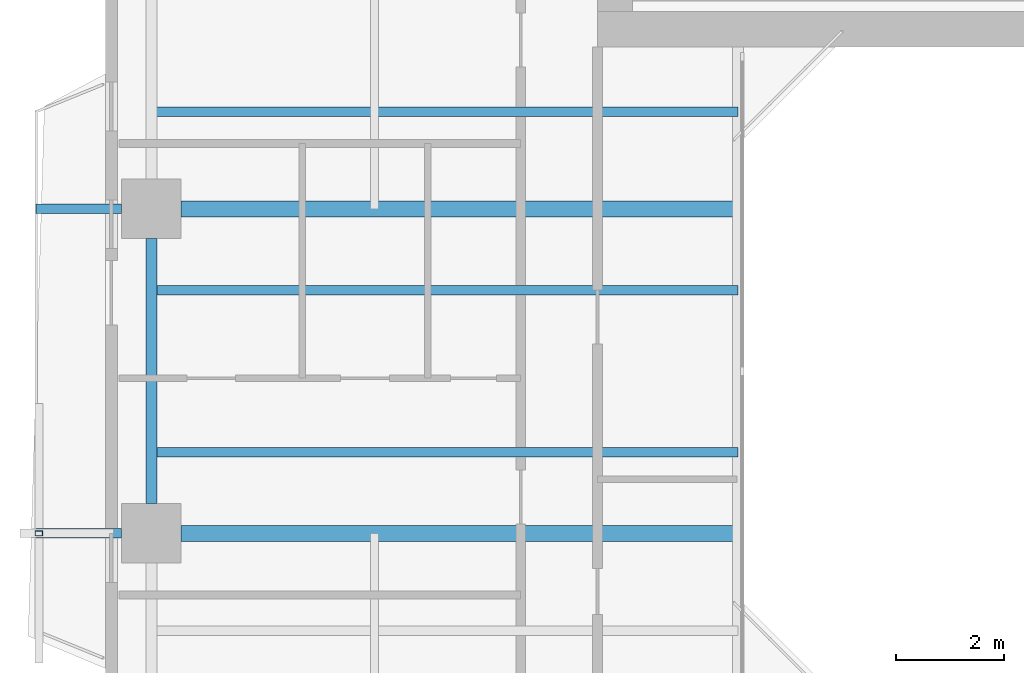
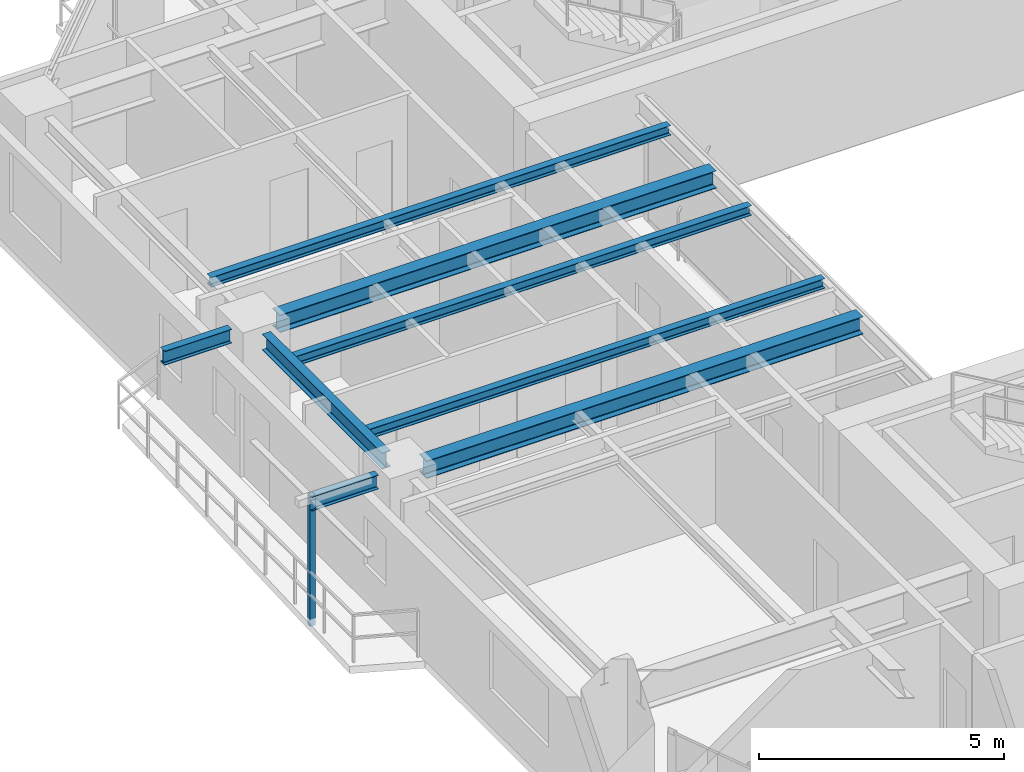
# One storey, part 4 of 24: 8 beams, 1 member.
"""IFC4 building model written with IfcOpenShell, lengths in metres."""

from ifc_helpers import new_model, si_unit, direction, frame, origin, origin_2d, place, context, subcontext, project, spatial, hollow_rectangle, i_section, extrude, source, transform, mapped, material, material_profile, profile_set, type_object, element, save


model = new_model("IFC4")

# Units and contexts
model_context = context("Model", 3, precision=1e-05, world=origin(), true_north=direction((0.0, 1.0)))
body_context = subcontext(model_context, "Body", "Model", "MODEL_VIEW")
ifc_project = project(units=[si_unit("LENGTHUNIT", "METRE"), si_unit("AREAUNIT", "SQUARE_METRE"), si_unit("VOLUMEUNIT", "CUBIC_METRE"), si_unit("PLANEANGLEUNIT", "RADIAN"), si_unit("MASSUNIT", "GRAM", prefix="KILO"), si_unit("THERMODYNAMICTEMPERATUREUNIT", "KELVIN"), si_unit("POWERUNIT", "WATT")], contexts=[model_context])

# Site, building, storey
site_placement = place(None, origin())
site = spatial("IfcSite", under=ifc_project, at=site_placement, CompositionType="ELEMENT")
building_placement = place(site_placement, origin())
building = spatial("IfcBuilding", under=site, at=building_placement, Name="Qiaomeng Ring Towers", CompositionType="ELEMENT")
storey_placement = place(building_placement, frame((0.0, 0.0, 110.0)))
storey = spatial("IfcBuildingStorey", under=building, at=storey_placement, Name="L31", CompositionType="ELEMENT", Elevation=110.0)

# Beams
ifc_material_1 = material(Name="Steel Q355B", Category="steel")
ifc_material_profile_1 = material_profile(ifc_material_1, i_section(OverallWidth=0.199951171875, OverallDepth=0.39990234375, WebThickness=0.008056640625, FlangeThickness=0.012939453125, FilletRadius=0.01611328125, at=origin_2d()), Name="HN 400x200x8x13")
ifc_profile_set_1 = profile_set([ifc_material_profile_1], Name="Steel Q355B")
beam_type_1 = type_object("IfcBeamType", Name="STR-BM-HN400", PredefinedType="SPANDREL", material=ifc_profile_set_1)
shared_shape_1 = source(origin(), body_context, "Body", "SweptSolid", [
    extrude(i_section(OverallWidth=0.199951171875, OverallDepth=0.39990234375, WebThickness=0.008056640625, FlangeThickness=0.012939453125, FilletRadius=0.01611328125, at=origin_2d()), origin(), (0.0, 0.0, 1.0), 4.90185546875),
])
beam_placement = place(storey_placement, frame((1.949951171875, 25.450927734375, 2.8701171875), z_axis=(0.0, -1.0, 0.0), x_axis=(1.0, 0.0, 0.0)))
element("IfcBeam", 1, at=beam_placement, inside=storey, type_object=beam_type_1, Name="L31 beam STR-SP-L31-T1-W3-W2", PredefinedType="SPANDREL", context=body_context, shape_type="MappedRepresentation", body=[
    mapped(shared_shape_1, transform((0.0, 0.0, 0.0), x_axis=(1.0, 0.0, 0.0), y_axis=(0.0, 1.0, 0.0), z_axis=(0.0, 0.0, 1.0), scale=1.0)),
])
ifc_material_profile_2 = material_profile(ifc_material_1, i_section(OverallWidth=0.300048828125, OverallDepth=0.43994140625, WebThickness=0.010986328125, FlangeThickness=0.01806640625, FilletRadius=0.02392578125, at=origin_2d()), Name="HM 440x300x11x18")
ifc_profile_set_2 = profile_set([ifc_material_profile_2], Name="Steel Q355B")
beam_type_2 = type_object("IfcBeamType", Name="STR-BM-HM440", PredefinedType="BEAM", material=ifc_profile_set_2)
shared_shape_2 = source(origin(), body_context, "Body", "SweptSolid", [
    extrude(i_section(OverallWidth=0.300048828125, OverallDepth=0.43994140625, WebThickness=0.010986328125, FlangeThickness=0.01806640625, FilletRadius=0.02392578125, at=origin_2d()), origin(), (0.0, 0.0, 1.0), 10.301025390625),
])
for number, where, z_axis, x_axis, name in (
    (2, (2.4990234375, 20.0, 2.85009765625), (1.0, 0.0, 0.0), (0.0, 1.0, 0.0), "L31 beam STR-BM-L31-T1-RAD-W2"),
    (3, (2.4990234375, 26.0, 2.85009765625), (1.0, 0.0, 0.0), (0.0, 1.0, 0.0), "L31 beam STR-BM-L31-T1-RAD-W3"),
):
    element("IfcBeam", number, at=place(storey_placement, frame(where, z_axis=z_axis, x_axis=x_axis)), inside=storey, type_object=beam_type_2, Name=name, PredefinedType="BEAM", context=body_context, shape_type="MappedRepresentation", body=[
        mapped(shared_shape_2, transform((0.0, 0.0, 0.0), x_axis=(1.0, 0.0, 0.0), y_axis=(0.0, 1.0, 0.0), z_axis=(0.0, 0.0, 1.0), scale=1.0)),
    ])
ifc_material_profile_3 = material_profile(ifc_material_1, i_section(OverallWidth=0.175048828125, OverallDepth=0.35009765625, WebThickness=0.007080078125, FlangeThickness=0.010986328125, FilletRadius=0.013916015625, at=origin_2d()), Name="HN 350x175x7x11")
ifc_profile_set_3 = profile_set([ifc_material_profile_3], Name="Steel Q355B")
beam_type_3 = type_object("IfcBeamType", Name="STR-BM-HN350", PredefinedType="JOIST", material=ifc_profile_set_3)
shared_shape_3 = source(origin(), body_context, "Body", "SweptSolid", [
    extrude(i_section(OverallWidth=0.175048828125, OverallDepth=0.35009765625, WebThickness=0.007080078125, FlangeThickness=0.010986328125, FilletRadius=0.013916015625, at=origin_2d()), origin(), (0.0, 0.0, 1.0), 1.580810546875),
])
for number, where, z_axis, x_axis, name in (
    (4, (-0.179931640625, 20.0, 2.89501953125), (1.0, 0.0, 0.0), (0.0, 1.0, 0.0), "L31 beam STR-BALBM-L31-W2"),
    (5, (-0.179931640625, 26.0, 2.89501953125), (1.0, 0.0, 0.0), (0.0, 1.0, 0.0), "L31 beam STR-BALBM-L31-W3"),
):
    element("IfcBeam", number, at=place(storey_placement, frame(where, z_axis=z_axis, x_axis=x_axis)), inside=storey, type_object=beam_type_3, Name=name, PredefinedType="JOIST", context=body_context, shape_type="MappedRepresentation", body=[
        mapped(shared_shape_3, transform((0.0, 0.0, 0.0), x_axis=(1.0, 0.0, 0.0), y_axis=(0.0, 1.0, 0.0), z_axis=(0.0, 0.0, 1.0), scale=1.0)),
    ])
ifc_material_profile_4 = material_profile(ifc_material_1, i_section(OverallWidth=0.175048828125, OverallDepth=0.243896484375, WebThickness=0.007080078125, FlangeThickness=0.010986328125, FilletRadius=0.01611328125, at=origin_2d()), Name="HM 244x175x7x11")
ifc_profile_set_4 = profile_set([ifc_material_profile_4], Name="Steel Q355B")
beam_type_4 = type_object("IfcBeamType", Name="STR-BM-HM244", PredefinedType="JOIST", material=ifc_profile_set_4)
shared_shape_4 = source(origin(), body_context, "Body", "SweptSolid", [
    extrude(i_section(OverallWidth=0.175048828125, OverallDepth=0.243896484375, WebThickness=0.007080078125, FlangeThickness=0.010986328125, FilletRadius=0.01611328125, at=origin_2d()), origin(), (0.0, 0.0, 1.0), 10.85009765625),
])
for number, where, z_axis, x_axis, name in (
    (6, (1.949951171875, 21.5, 2.947998046875), (1.0, 0.0, 0.0), (0.0, 1.0, 0.0), "L31 beam STR-JST-L31-T1W-2"),
    (7, (1.949951171875, 24.5, 2.947998046875), (1.0, 0.0, 0.0), (0.0, 1.0, 0.0), "L31 beam STR-JST-L31-T1W-3"),
    (8, (1.949951171875, 27.800048828125, 2.947998046875), (1.0, 0.0, 0.0), (0.0, 1.0, 0.0), "L31 beam STR-JST-L31-T1W-4"),
):
    element("IfcBeam", number, at=place(storey_placement, frame(where, z_axis=z_axis, x_axis=x_axis)), inside=storey, type_object=beam_type_4, Name=name, PredefinedType="JOIST", context=body_context, shape_type="MappedRepresentation", body=[
        mapped(shared_shape_4, transform((0.0, 0.0, 0.0), x_axis=(1.0, 0.0, 0.0), y_axis=(0.0, 1.0, 0.0), z_axis=(0.0, 0.0, 1.0), scale=1.0)),
    ])

# Member
ifc_material_2 = material(Name="Stainless steel 316", Category="steel")
ifc_material_profile_5 = material_profile(ifc_material_2, hollow_rectangle(XDim=0.090087890625, YDim=0.139892578125, WallThickness=0.0048828125, at=origin_2d()), Name="SS TRELLIS 90x140")
ifc_profile_set_5 = profile_set([ifc_material_profile_5], Name="Stainless steel 316")
member_type = type_object("IfcMemberType", Name="ARC-TR-POST1", PredefinedType="STUD", material=ifc_profile_set_5)
shared_shape_5 = source(origin(), body_context, "Body", "SweptSolid", [
    extrude(hollow_rectangle(XDim=0.090087890625, YDim=0.139892578125, WallThickness=0.0048828125, at=origin_2d()), origin(), (0.0, 0.0, 1.0), 3.25),
])
member_placement = place(storey_placement, frame((-0.1298828125, 20.0, -0.179931640625), z_axis=(0.0, 0.0, 1.0), x_axis=(0.0, 1.0, 0.0)))
element("IfcMember", 9, at=member_placement, inside=storey, type_object=member_type, Name="L31 Outer Ventilated Trellis Post W", PredefinedType="STUD", context=body_context, shape_type="MappedRepresentation", body=[
    mapped(shared_shape_5, transform((0.0, 0.0, 0.0), x_axis=(1.0, 0.0, 0.0), y_axis=(0.0, 1.0, 0.0), z_axis=(0.0, 0.0, 1.0), scale=1.0)),
])

save(model, "model.ifc")
